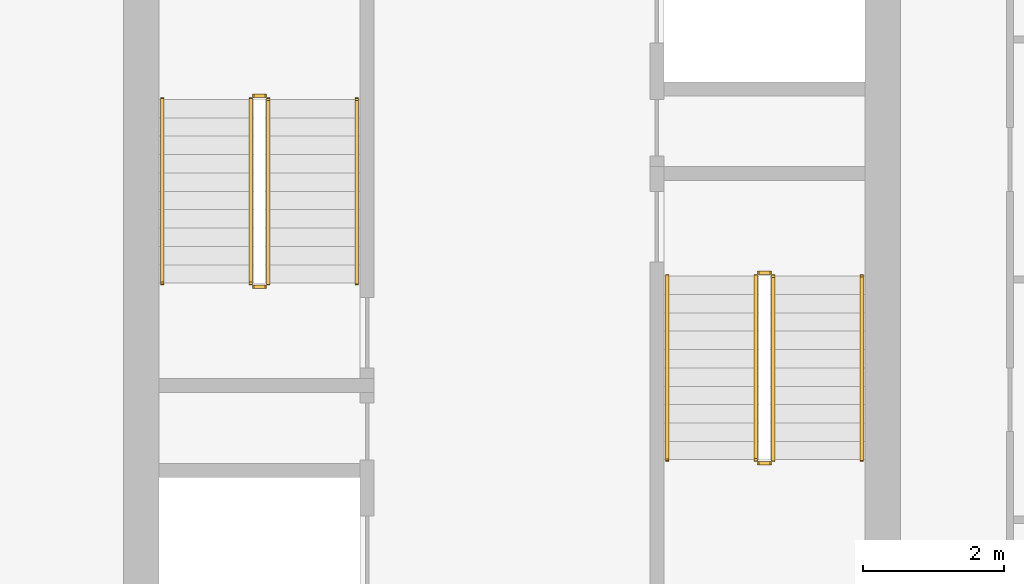
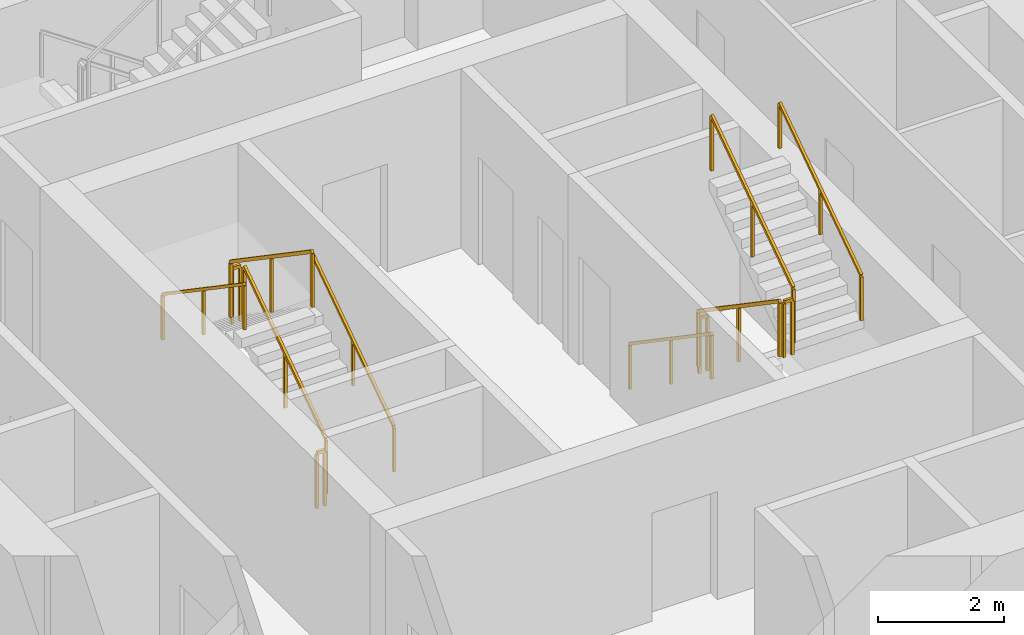
# One storey, part 11 of 14: 12 railings.
"""IFC4 building model written with IfcOpenShell, lengths in metres."""

from ifc_helpers import new_model, si_unit, direction, frame, origin, origin_2d, place, context, subcontext, project, spatial, rectangle, extrude, material, type_object, element, save


model = new_model("IFC4")

# Units and contexts
model_context = context("Model", 3, precision=1e-05, world=origin(), true_north=direction((0.0, 1.0)))
body_context = subcontext(model_context, "Body", "Model", "MODEL_VIEW")
ifc_project = project(units=[si_unit("LENGTHUNIT", "METRE"), si_unit("AREAUNIT", "SQUARE_METRE"), si_unit("VOLUMEUNIT", "CUBIC_METRE"), si_unit("PLANEANGLEUNIT", "RADIAN"), si_unit("MASSUNIT", "GRAM", prefix="KILO")], contexts=[model_context])

# Site, building, storey
site_placement = place(None, origin())
site = spatial("IfcSite", under=ifc_project, at=site_placement, CompositionType="ELEMENT")
building_placement = place(site_placement, origin())
building = spatial("IfcBuilding", under=site, at=building_placement, Name="Khepri Terraces", CompositionType="ELEMENT")
storey_placement = place(building_placement, frame((0.0, 0.0, 87.0)))
storey = spatial("IfcBuildingStorey", under=building, at=storey_placement, Name="L20", CompositionType="ELEMENT", Elevation=87.0)

# Railings
ifc_material = material(Name="Stainless steel 316", Category="steel")
railing_type_1 = type_object("IfcRailingType", Name="RL-CORE-GUARD", PredefinedType="GUARDRAIL", material=ifc_material)
railing_1_placement = place(storey_placement, frame((-3.449951171875, -0.050048828125, 0.17724609375)))
element("IfcRailing", 1, at=railing_1_placement, inside=storey, type_object=railing_type_1, Name="L20 ST-1 stair guard 1", PredefinedType="GUARDRAIL", context=body_context, shape_type="SweptSolid", body=[
    extrude(rectangle(XDim=0.050048828125, YDim=0.06005859375, at=origin_2d()), frame((0.0, 0.0, 1.070068359375), z_axis=(0.0, 0.826240473404, 0.563317565952), x_axis=(-1.0, 0.0, 0.0)), (0.0, 0.0, 1.0), 3.14697265625),
    extrude(rectangle(XDim=0.050048828125, YDim=0.050048828125, at=origin_2d()), origin(), (0.0, 0.0, 1.0), 1.0400390625),
    extrude(rectangle(XDim=0.050048828125, YDim=0.050048828125, at=origin_2d()), frame((0.0, 1.300048828125, 0.88623046875)), (0.0, 0.0, 1.0), 1.0400390625),
    extrude(rectangle(XDim=0.050048828125, YDim=0.050048828125, at=origin_2d()), frame((0.0, 2.60009765625, 1.772705078125)), (0.0, 0.0, 1.0), 1.0400390625),
])
railing_2_placement = place(storey_placement, frame((-3.5, 2.60009765625, 1.949951171875)))
element("IfcRailing", 2, at=railing_2_placement, inside=storey, type_object=railing_type_1, Name="L20 ST-1 stair guard 2", PredefinedType="GUARDRAIL", context=body_context, shape_type="SweptSolid", body=[
    extrude(rectangle(XDim=0.050048828125, YDim=0.06005859375, at=origin_2d()), frame((0.0, 0.0, 1.070068359375), z_axis=(-1.0, 0.0, 0.0), x_axis=(0.0, -1.0, 0.0)), (0.0, 0.0, 1.0), 0.14990234375),
    extrude(rectangle(XDim=0.050048828125, YDim=0.050048828125, at=origin_2d()), origin(), (0.0, 0.0, 1.0), 1.0400390625),
    extrude(rectangle(XDim=0.050048828125, YDim=0.050048828125, at=origin_2d()), frame((-0.14990234375, 0.0, 0.0)), (0.0, 0.0, 1.0), 1.0400390625),
])
railing_3_placement = place(storey_placement, frame((-3.699951171875, 2.550048828125, 2.127197265625)))
element("IfcRailing", 3, at=railing_3_placement, inside=storey, type_object=railing_type_1, Name="L20 ST-1 stair guard 3", PredefinedType="GUARDRAIL", context=body_context, shape_type="SweptSolid", body=[
    extrude(rectangle(XDim=0.050048828125, YDim=0.06005859375, at=origin_2d()), frame((0.0, 0.0, 1.070068359375), z_axis=(0.0, -0.826240473404, 0.563317565952), x_axis=(1.0, 0.0, 0.0)), (0.0, 0.0, 1.0), 3.14697265625),
    extrude(rectangle(XDim=0.050048828125, YDim=0.050048828125, at=origin_2d()), origin(), (0.0, 0.0, 1.0), 1.0400390625),
    extrude(rectangle(XDim=0.050048828125, YDim=0.050048828125, at=origin_2d()), frame((0.0, -1.300048828125, 0.88623046875)), (0.0, 0.0, 1.0), 1.0400390625),
    extrude(rectangle(XDim=0.050048828125, YDim=0.050048828125, at=origin_2d()), frame((0.0, -2.60009765625, 1.772705078125)), (0.0, 0.0, 1.0), 1.0400390625),
])
railing_4_placement = place(storey_placement, frame((-3.5, -0.10009765625, 0.0)))
element("IfcRailing", 4, at=railing_4_placement, inside=storey, type_object=railing_type_1, Name="L20 ST-1 stair guard 4", PredefinedType="GUARDRAIL", context=body_context, shape_type="SweptSolid", body=[
    extrude(rectangle(XDim=0.050048828125, YDim=0.06005859375, at=origin_2d()), frame((0.0, 0.0, 1.070068359375), z_axis=(-1.0, 0.0, 0.0), x_axis=(0.0, -1.0, 0.0)), (0.0, 0.0, 1.0), 0.14990234375),
    extrude(rectangle(XDim=0.050048828125, YDim=0.050048828125, at=origin_2d()), origin(), (0.0, 0.0, 1.0), 1.0400390625),
    extrude(rectangle(XDim=0.050048828125, YDim=0.050048828125, at=origin_2d()), frame((-0.14990234375, 0.0, 0.0)), (0.0, 0.0, 1.0), 1.0400390625),
])
railing_5_placement = place(storey_placement, frame((3.449951171875, 0.050048828125, 0.17724609375)))
element("IfcRailing", 5, at=railing_5_placement, inside=storey, type_object=railing_type_1, Name="L20 ST-2 stair guard 1", PredefinedType="GUARDRAIL", context=body_context, shape_type="SweptSolid", body=[
    extrude(rectangle(XDim=0.050048828125, YDim=0.06005859375, at=origin_2d()), frame((0.0, 0.0, 1.070068359375), z_axis=(0.0, -0.826240473404, 0.563317565952), x_axis=(1.0, 0.0, 0.0)), (0.0, 0.0, 1.0), 3.14697265625),
    extrude(rectangle(XDim=0.050048828125, YDim=0.050048828125, at=origin_2d()), origin(), (0.0, 0.0, 1.0), 1.0400390625),
    extrude(rectangle(XDim=0.050048828125, YDim=0.050048828125, at=origin_2d()), frame((0.0, -1.300048828125, 0.88623046875)), (0.0, 0.0, 1.0), 1.0400390625),
    extrude(rectangle(XDim=0.050048828125, YDim=0.050048828125, at=origin_2d()), frame((0.0, -2.60009765625, 1.772705078125)), (0.0, 0.0, 1.0), 1.0400390625),
])
railing_6_placement = place(storey_placement, frame((3.5, -2.60009765625, 1.949951171875)))
element("IfcRailing", 6, at=railing_6_placement, inside=storey, type_object=railing_type_1, Name="L20 ST-2 stair guard 2", PredefinedType="GUARDRAIL", context=body_context, shape_type="SweptSolid", body=[
    extrude(rectangle(XDim=0.050048828125, YDim=0.06005859375, at=origin_2d()), frame((0.0, 0.0, 1.070068359375), z_axis=(1.0, 0.0, 0.0), x_axis=(0.0, 1.0, 0.0)), (0.0, 0.0, 1.0), 0.14990234375),
    extrude(rectangle(XDim=0.050048828125, YDim=0.050048828125, at=origin_2d()), origin(), (0.0, 0.0, 1.0), 1.0400390625),
    extrude(rectangle(XDim=0.050048828125, YDim=0.050048828125, at=origin_2d()), frame((0.14990234375, 0.0, 0.0)), (0.0, 0.0, 1.0), 1.0400390625),
])
railing_7_placement = place(storey_placement, frame((3.699951171875, -2.550048828125, 2.127197265625)))
element("IfcRailing", 7, at=railing_7_placement, inside=storey, type_object=railing_type_1, Name="L20 ST-2 stair guard 3", PredefinedType="GUARDRAIL", context=body_context, shape_type="SweptSolid", body=[
    extrude(rectangle(XDim=0.050048828125, YDim=0.06005859375, at=origin_2d()), frame((0.0, 0.0, 1.070068359375), z_axis=(0.0, 0.826240473404, 0.563317565952), x_axis=(-1.0, 0.0, 0.0)), (0.0, 0.0, 1.0), 3.14697265625),
    extrude(rectangle(XDim=0.050048828125, YDim=0.050048828125, at=origin_2d()), origin(), (0.0, 0.0, 1.0), 1.0400390625),
    extrude(rectangle(XDim=0.050048828125, YDim=0.050048828125, at=origin_2d()), frame((0.0, 1.300048828125, 0.88623046875)), (0.0, 0.0, 1.0), 1.0400390625),
    extrude(rectangle(XDim=0.050048828125, YDim=0.050048828125, at=origin_2d()), frame((0.0, 2.60009765625, 1.772705078125)), (0.0, 0.0, 1.0), 1.0400390625),
])
railing_8_placement = place(storey_placement, frame((3.5, 0.10009765625, 0.0)))
element("IfcRailing", 8, at=railing_8_placement, inside=storey, type_object=railing_type_1, Name="L20 ST-2 stair guard 4", PredefinedType="GUARDRAIL", context=body_context, shape_type="SweptSolid", body=[
    extrude(rectangle(XDim=0.050048828125, YDim=0.06005859375, at=origin_2d()), frame((0.0, 0.0, 1.070068359375), z_axis=(1.0, 0.0, 0.0), x_axis=(0.0, 1.0, 0.0)), (0.0, 0.0, 1.0), 0.14990234375),
    extrude(rectangle(XDim=0.050048828125, YDim=0.050048828125, at=origin_2d()), origin(), (0.0, 0.0, 1.0), 1.0400390625),
    extrude(rectangle(XDim=0.050048828125, YDim=0.050048828125, at=origin_2d()), frame((0.14990234375, 0.0, 0.0)), (0.0, 0.0, 1.0), 1.0400390625),
])
railing_type_2 = type_object("IfcRailingType", Name="RL-CORE-HANDRAIL", PredefinedType="HANDRAIL", material=ifc_material)
railing_9_placement = place(storey_placement, frame((-2.199951171875, -0.050048828125, 0.17724609375)))
element("IfcRailing", 9, at=railing_9_placement, inside=storey, type_object=railing_type_2, Name="L20 ST-1 stair handrail 1", PredefinedType="HANDRAIL", context=body_context, shape_type="SweptSolid", body=[
    extrude(rectangle(XDim=0.050048828125, YDim=0.050048828125, at=origin_2d()), frame((0.0, 0.0, 0.875), z_axis=(0.0, 0.826240473404, 0.563317565952), x_axis=(-1.0, 0.0, 0.0)), (0.0, 0.0, 1.0), 3.14697265625),
    extrude(rectangle(XDim=0.050048828125, YDim=0.050048828125, at=origin_2d()), origin(), (0.0, 0.0, 1.0), 0.849853515625),
    extrude(rectangle(XDim=0.050048828125, YDim=0.050048828125, at=origin_2d()), frame((0.0, 1.300048828125, 0.88623046875)), (0.0, 0.0, 1.0), 0.849853515625),
    extrude(rectangle(XDim=0.050048828125, YDim=0.050048828125, at=origin_2d()), frame((0.0, 2.60009765625, 1.772705078125)), (0.0, 0.0, 1.0), 0.849853515625),
])
for number, where, name in (
    (10, (-4.949951171875, 2.550048828125, 2.127197265625), "L20 ST-1 stair handrail 2"),
    (11, (2.199951171875, 0.050048828125, 0.17724609375), "L20 ST-2 stair handrail 1"),
):
    element("IfcRailing", number, at=place(storey_placement, frame(where)), inside=storey, type_object=railing_type_2, Name=name, PredefinedType="HANDRAIL", context=body_context, shape_type="SweptSolid", body=[
        extrude(rectangle(XDim=0.050048828125, YDim=0.050048828125, at=origin_2d()), frame((0.0, 0.0, 0.875), z_axis=(0.0, -0.826240473404, 0.563317565952), x_axis=(1.0, 0.0, 0.0)), (0.0, 0.0, 1.0), 3.14697265625),
        extrude(rectangle(XDim=0.050048828125, YDim=0.050048828125, at=origin_2d()), origin(), (0.0, 0.0, 1.0), 0.849853515625),
        extrude(rectangle(XDim=0.050048828125, YDim=0.050048828125, at=origin_2d()), frame((0.0, -1.300048828125, 0.88623046875)), (0.0, 0.0, 1.0), 0.849853515625),
        extrude(rectangle(XDim=0.050048828125, YDim=0.050048828125, at=origin_2d()), frame((0.0, -2.60009765625, 1.772705078125)), (0.0, 0.0, 1.0), 0.849853515625),
    ])
railing_10_placement = place(storey_placement, frame((4.949951171875, -2.550048828125, 2.127197265625)))
element("IfcRailing", 12, at=railing_10_placement, inside=storey, type_object=railing_type_2, Name="L20 ST-2 stair handrail 2", PredefinedType="HANDRAIL", context=body_context, shape_type="SweptSolid", body=[
    extrude(rectangle(XDim=0.050048828125, YDim=0.050048828125, at=origin_2d()), frame((0.0, 0.0, 0.875), z_axis=(0.0, 0.826240473404, 0.563317565952), x_axis=(-1.0, 0.0, 0.0)), (0.0, 0.0, 1.0), 3.14697265625),
    extrude(rectangle(XDim=0.050048828125, YDim=0.050048828125, at=origin_2d()), origin(), (0.0, 0.0, 1.0), 0.849853515625),
    extrude(rectangle(XDim=0.050048828125, YDim=0.050048828125, at=origin_2d()), frame((0.0, 1.300048828125, 0.88623046875)), (0.0, 0.0, 1.0), 0.849853515625),
    extrude(rectangle(XDim=0.050048828125, YDim=0.050048828125, at=origin_2d()), frame((0.0, 2.60009765625, 1.772705078125)), (0.0, 0.0, 1.0), 0.849853515625),
])

save(model, "model.ifc")
